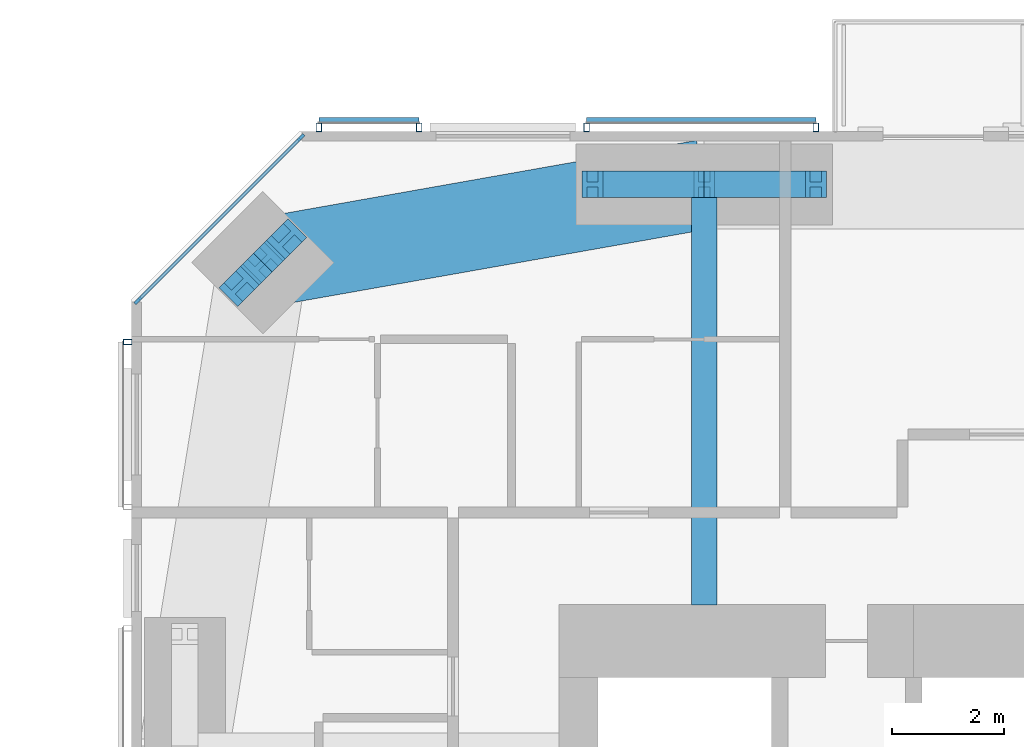
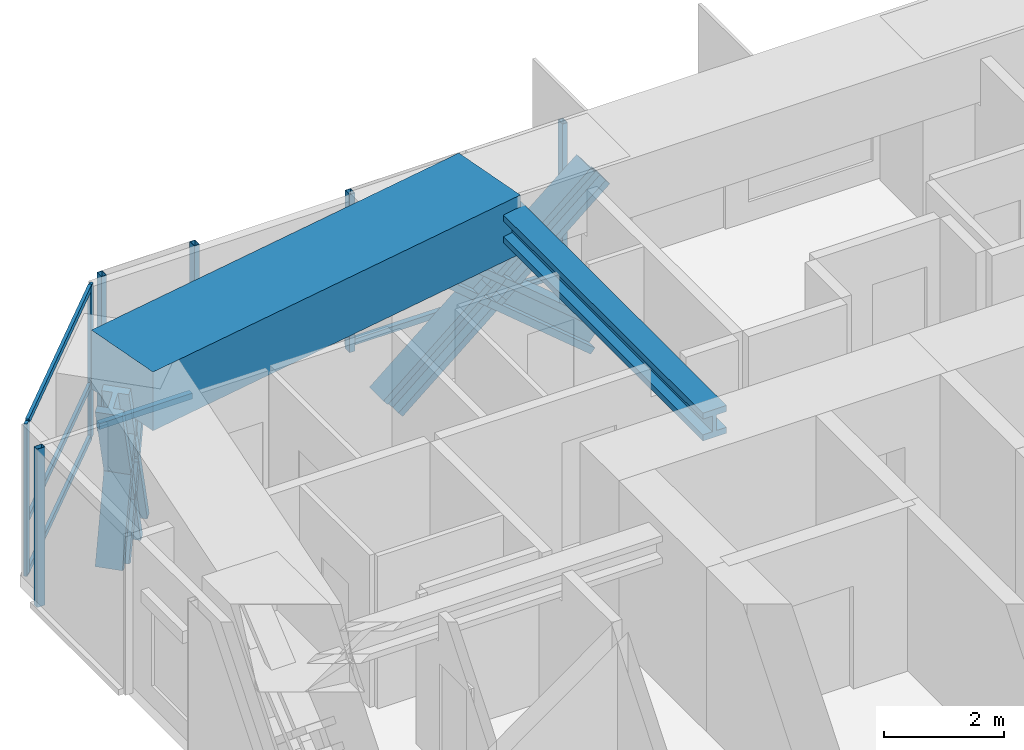
# One storey, part 10 of 23: 20 members, 2 beams, 4 elements without a shape of their own.
"""IFC4 building model written with IfcOpenShell, lengths in metres."""

from ifc_helpers import new_model, si_unit, direction, frame, origin, origin_2d, place, context, subcontext, project, spatial, rectangle, hollow_rectangle, i_section, extrude, material, material_profile, profile_set, type_object, element, aggregate, save


model = new_model("IFC4")

# Units and contexts
model_context = context("Model", 3, precision=1e-05, world=origin(), true_north=direction((0.0, 1.0)))
body_context = subcontext(model_context, "Body", "Model", "MODEL_VIEW")
ifc_project = project(units=[si_unit("LENGTHUNIT", "METRE"), si_unit("AREAUNIT", "SQUARE_METRE"), si_unit("VOLUMEUNIT", "CUBIC_METRE"), si_unit("PLANEANGLEUNIT", "RADIAN"), si_unit("MASSUNIT", "GRAM", prefix="KILO")], contexts=[model_context])

# Site, building, storey
site_placement = place(None, origin())
site = spatial("IfcSite", under=ifc_project, at=site_placement, CompositionType="ELEMENT")
building_placement = place(site_placement, origin())
building = spatial("IfcBuilding", under=site, at=building_placement, Name="Jalousie Tower", CompositionType="ELEMENT")
storey_placement = place(building_placement, frame((0.0, 0.0, 164.39990234375)))
storey = spatial("IfcBuildingStorey", under=building, at=storey_placement, Name="L44", CompositionType="ELEMENT", Elevation=164.39990234375)

# Curtain wall, members
ifc_material_1 = material(Name="Aluminium curtain wall", Category="aluminium")
curtain_wall_type_1 = type_object("IfcCurtainWallType", Name="CORNER WINDOW WALL", PredefinedType="USERDEFINED", material=ifc_material_1)
curtain_wall_1_placement = place(storey_placement, origin())
curtain_wall_1 = element("IfcCurtainWall", 1, at=curtain_wall_1_placement, inside=storey, type_object=curtain_wall_type_1, Name="Corner Window Wall L44 6", ObjectType="CORNER WINDOW WALL", PredefinedType="USERDEFINED")
ifc_material_2 = material(Name="Aluminium mullion", Category="aluminium")
ifc_material_profile_1 = material_profile(ifc_material_2, rectangle(XDim=0.06005859375, YDim=0.14990234375, at=origin_2d()), Name="MULLION 60x150")
ifc_profile_set_1 = profile_set([ifc_material_profile_1], Name="Aluminium mullion")
member_type_1 = type_object("IfcMemberType", Name="CORNER WINDOW WALL MULLION", PredefinedType="MULLION", material=ifc_profile_set_1)
member_1_placement = place(storey_placement, frame((15.030029296875, 35.891357421875, 0.0), z_axis=(0.0, 0.0, 1.0), x_axis=(0.707106781187, -0.707106781187, 0.0)))
member_1 = element("IfcMember", 2, at=member_1_placement, type_object=member_type_1, Name="CW-C mullion 1", PredefinedType="MULLION", context=body_context, shape_type="SweptSolid", body=[
    extrude(rectangle(XDim=0.06005859375, YDim=0.14990234375, at=origin_2d()), origin(), (0.0, 0.0, 1.0), 3.110107421875),
])
member_2_placement = place(storey_placement, frame((12.108642578125, 32.969970703125, 0.0), z_axis=(0.0, 0.0, 1.0), x_axis=(0.707106781187, -0.707106781187, 0.0)))
member_2 = element("IfcMember", 3, at=member_2_placement, type_object=member_type_1, Name="CW-C mullion 2", PredefinedType="MULLION", context=body_context, shape_type="SweptSolid", body=[
    extrude(rectangle(XDim=0.06005859375, YDim=0.14990234375, at=origin_2d()), origin(), (0.0, 0.0, 1.0), 3.110107421875),
])
ifc_material_3 = material(Name="Aluminium transom", Category="aluminium")
ifc_material_profile_2 = material_profile(ifc_material_3, rectangle(XDim=0.06005859375, YDim=0.1201171875, at=origin_2d()), Name="TRANSOM 60x120")
ifc_profile_set_2 = profile_set([ifc_material_profile_2], Name="Aluminium transom")
member_type_2 = type_object("IfcMemberType", Name="CORNER WINDOW WALL TRANSOM", PredefinedType="USERDEFINED", material=ifc_profile_set_2)
member_3_placement = place(storey_placement, frame((15.0087890625, 35.8701171875, 0.030029296875), z_axis=(-0.707106781187, -0.707106781187, 0.0), x_axis=(0.707106781187, -0.707106781187, 0.0)))
member_3 = element("IfcMember", 4, at=member_3_placement, type_object=member_type_2, Name="CW-C transom 1.1", ObjectType="TRANSOM", PredefinedType="USERDEFINED", context=body_context, shape_type="SweptSolid", body=[
    extrude(rectangle(XDim=0.06005859375, YDim=0.1201171875, at=origin_2d()), origin(), (0.0, 0.0, 1.0), 4.0712890625),
])
member_4_placement = place(storey_placement, frame((15.0087890625, 35.8701171875, 1.10009765625), z_axis=(-0.707106781187, -0.707106781187, 0.0), x_axis=(0.707106781187, -0.707106781187, 0.0)))
member_4 = element("IfcMember", 5, at=member_4_placement, type_object=member_type_2, Name="CW-C transom 1.2", ObjectType="TRANSOM", PredefinedType="USERDEFINED", context=body_context, shape_type="SweptSolid", body=[
    extrude(rectangle(XDim=0.06005859375, YDim=0.1201171875, at=origin_2d()), origin(), (0.0, 0.0, 1.0), 4.0712890625),
])
member_5_placement = place(storey_placement, frame((15.0087890625, 35.8701171875, 3.080078125), z_axis=(-0.707106781187, -0.707106781187, 0.0), x_axis=(0.707106781187, -0.707106781187, 0.0)))
member_5 = element("IfcMember", 6, at=member_5_placement, type_object=member_type_2, Name="CW-C transom 1.3", ObjectType="TRANSOM", PredefinedType="USERDEFINED", context=body_context, shape_type="SweptSolid", body=[
    extrude(rectangle(XDim=0.06005859375, YDim=0.1201171875, at=origin_2d()), origin(), (0.0, 0.0, 1.0), 4.0712890625),
])
aggregate(curtain_wall_1, [member_1, member_2, member_3, member_4, member_5])

# Beam
ifc_material_4 = material(Name="Steel ASTM A992 Grade 50", Category="steel")
ifc_material_profile_3 = material_profile(ifc_material_4, i_section(OverallWidth=0.45458984375, OverallDepth=0.569091796875, WebThickness=0.077880859375, FlangeThickness=0.124755859375, at=origin_2d()), Name="W14X730")
ifc_profile_set_3 = profile_set([ifc_material_profile_3], Name="Steel ASTM A992 Grade 50")
beam_type_1 = type_object("IfcBeamType", Name="LEAN COLLECTOR W14X730", PredefinedType="BEAM", material=ifc_profile_set_3)
beam_1_placement = place(storey_placement, frame((22.25, 35.050048828125, 2.82568359375), z_axis=(0.0, -1.0, 0.0), x_axis=(1.0, 0.0, 0.0)))
element("IfcBeam", 7, at=beam_1_placement, inside=storey, type_object=beam_type_1, Name="Lean collector under L45", PredefinedType="BEAM", context=body_context, shape_type="SweptSolid", body=[
    extrude(i_section(OverallWidth=0.45458984375, OverallDepth=0.569091796875, WebThickness=0.077880859375, FlangeThickness=0.124755859375, at=origin_2d()), origin(), (0.0, 0.0, 1.0), 7.525146484375),
])

# Members
ifc_material_5 = material(Name="Steel ASTM A992 Grade 50", Category="steel")
ifc_material_profile_4 = material_profile(ifc_material_5, i_section(OverallWidth=0.472412109375, OverallDepth=0.5791015625, WebThickness=0.094970703125, FlangeThickness=0.1298828125, at=origin_2d()), Name="W14X808")
ifc_profile_set_4 = profile_set([ifc_material_profile_4], Name="Steel ASTM A992 Grade 50")
member_type_3 = type_object("IfcMemberType", Name="PERIMETER BRACE W14X808", PredefinedType="BRACE", material=ifc_profile_set_4)
member_6_placement = place(storey_placement, frame((20.25, 35.050048828125, -0.599853515625), z_axis=(0.766638753323, 0.0, 0.642078672674), x_axis=(0.0, 1.0, 0.0)))
element("IfcMember", 8, at=member_6_placement, inside=storey, type_object=member_type_3, Name="Perimeter brace 11 L44 part 1", PredefinedType="BRACE", context=body_context, shape_type="SweptSolid", body=[
    extrude(i_section(OverallWidth=0.472412109375, OverallDepth=0.5791015625, WebThickness=0.094970703125, FlangeThickness=0.1298828125, at=origin_2d()), origin(), (0.0, 0.0, 1.0), 2.60888671875),
])
member_7_placement = place(storey_placement, frame((22.25, 35.050048828125, 1.0751953125), z_axis=(0.766684820047, 0.0, 0.642023665225), x_axis=(0.0, 1.0, 0.0)))
element("IfcMember", 9, at=member_7_placement, inside=storey, type_object=member_type_3, Name="Perimeter brace 11 L44 part 2", PredefinedType="BRACE", context=body_context, shape_type="SweptSolid", body=[
    extrude(i_section(OverallWidth=0.472412109375, OverallDepth=0.5791015625, WebThickness=0.094970703125, FlangeThickness=0.1298828125, at=origin_2d()), origin(), (0.0, 0.0, 1.0), 2.608642578125),
])
member_8_placement = place(storey_placement, frame((24.25, 35.050048828125, -0.599853515625), z_axis=(-0.766638753323, 0.0, 0.642078672674), x_axis=(0.0, -1.0, 0.0)))
element("IfcMember", 10, at=member_8_placement, inside=storey, type_object=member_type_3, Name="Perimeter brace 11 L44 part 3", PredefinedType="BRACE", context=body_context, shape_type="SweptSolid", body=[
    extrude(i_section(OverallWidth=0.472412109375, OverallDepth=0.5791015625, WebThickness=0.094970703125, FlangeThickness=0.1298828125, at=origin_2d()), origin(), (0.0, 0.0, 1.0), 2.60888671875),
])
member_9_placement = place(storey_placement, frame((22.25, 35.050048828125, 1.0751953125), z_axis=(-0.766684820047, 0.0, 0.642023665225), x_axis=(0.0, -1.0, 0.0)))
element("IfcMember", 11, at=member_9_placement, inside=storey, type_object=member_type_3, Name="Perimeter brace 11 L44 part 4", PredefinedType="BRACE", context=body_context, shape_type="SweptSolid", body=[
    extrude(i_section(OverallWidth=0.472412109375, OverallDepth=0.5791015625, WebThickness=0.094970703125, FlangeThickness=0.1298828125, at=origin_2d()), origin(), (0.0, 0.0, 1.0), 2.608642578125),
])
member_10_placement = place(storey_placement, frame((14.772705078125, 34.07568359375, -0.599853515625), z_axis=(-0.238482757655, -0.238345540878, 0.941444303953), x_axis=(0.706903267951, -0.707310235866, 0.0)))
element("IfcMember", 12, at=member_10_placement, inside=storey, type_object=member_type_3, Name="Perimeter brace 12 L44 part 1", PredefinedType="BRACE", context=body_context, shape_type="SweptSolid", body=[
    extrude(i_section(OverallWidth=0.472412109375, OverallDepth=0.5791015625, WebThickness=0.094970703125, FlangeThickness=0.1298828125, at=origin_2d()), origin(), (0.0, 0.0, 1.0), 1.779296875),
])
member_11_placement = place(storey_placement, frame((14.348388671875, 33.651611328125, 1.0751953125), z_axis=(-0.238376334543, -0.238513569048, 0.941428701766), x_axis=(0.707310235866, -0.706903267951, 0.0)))
element("IfcMember", 13, at=member_11_placement, inside=storey, type_object=member_type_3, Name="Perimeter brace 12 L44 part 2", PredefinedType="BRACE", context=body_context, shape_type="SweptSolid", body=[
    extrude(i_section(OverallWidth=0.472412109375, OverallDepth=0.5791015625, WebThickness=0.094970703125, FlangeThickness=0.1298828125, at=origin_2d()), origin(), (0.0, 0.0, 1.0), 1.779052734375),
])
member_12_placement = place(storey_placement, frame((13.92431640625, 33.227294921875, -0.599853515625), z_axis=(0.238345540878, 0.238482757655, 0.941444303953), x_axis=(-0.707310235866, 0.706903267951, 0.0)))
element("IfcMember", 14, at=member_12_placement, inside=storey, type_object=member_type_3, Name="Perimeter brace 12 L44 part 3", PredefinedType="BRACE", context=body_context, shape_type="SweptSolid", body=[
    extrude(i_section(OverallWidth=0.472412109375, OverallDepth=0.5791015625, WebThickness=0.094970703125, FlangeThickness=0.1298828125, at=origin_2d()), origin(), (0.0, 0.0, 1.0), 1.779296875),
])
member_13_placement = place(storey_placement, frame((14.348388671875, 33.651611328125, 1.0751953125), z_axis=(0.238513569048, 0.238376334543, 0.941428701766), x_axis=(-0.706903267951, 0.707310235866, 0.0)))
element("IfcMember", 15, at=member_13_placement, inside=storey, type_object=member_type_3, Name="Perimeter brace 12 L44 part 4", PredefinedType="BRACE", context=body_context, shape_type="SweptSolid", body=[
    extrude(i_section(OverallWidth=0.472412109375, OverallDepth=0.5791015625, WebThickness=0.094970703125, FlangeThickness=0.1298828125, at=origin_2d()), origin(), (0.0, 0.0, 1.0), 1.779052734375),
])

# Beam
ifc_material_6 = material(Name="Concrete f'c 40 MPa", Category="concrete")
ifc_material_profile_5 = material_profile(ifc_material_6, rectangle(XDim=1.60009765625, YDim=1.199951171875, at=origin_2d()), Name="RC 1600x1200")
ifc_profile_set_5 = profile_set([ifc_material_profile_5], Name="Concrete f'c 40 MPa")
beam_type_2 = type_object("IfcBeamType", Name="RC BEAM 1600x1200", PredefinedType="BEAM", material=ifc_profile_set_5)
beam_2_placement = place(storey_placement, frame((22.25, 35.050048828125, 2.75), z_axis=(-0.984697370688, -0.174273027632, 0.0), x_axis=(0.174273027632, -0.984697370688, 0.0)))
element("IfcBeam", 16, at=beam_2_placement, inside=storey, type_object=beam_type_2, Name="Edge band beam 11-12 under L45", PredefinedType="BEAM", context=body_context, shape_type="SweptSolid", body=[
    extrude(rectangle(XDim=1.60009765625, YDim=1.199951171875, at=origin_2d()), origin(), (0.0, 0.0, 1.0), 8.0244140625),
])

# Curtain wall, members
ifc_material_7 = material(Name="Perforated aluminium sheet", Category="aluminium")
curtain_wall_type_2 = type_object("IfcCurtainWallType", Name="SOLAR SCREEN SS-1", PredefinedType="USERDEFINED", material=ifc_material_7)
curtain_wall_2_placement = place(storey_placement, origin())
curtain_wall_2 = element("IfcCurtainWall", 17, at=curtain_wall_2_placement, inside=storey, type_object=curtain_wall_type_2, Name="Solar screen L44", ObjectType="SOLAR SCREEN SS-1", PredefinedType="USERDEFINED")
ifc_material_8 = material(Name="Steel ASTM A500 Grade C", Category="steel")
ifc_material_profile_6 = material_profile(ifc_material_8, hollow_rectangle(XDim=0.1015625, YDim=0.15234375, WallThickness=0.00634765625, at=origin_2d()), Name="HSS6X4X1/4")
ifc_profile_set_6 = profile_set([ifc_material_profile_6], Name="Steel ASTM A500 Grade C")
member_type_4 = type_object("IfcMemberType", Name="SOLAR SCREEN SS-1 MULLION", PredefinedType="MULLION", material=ifc_profile_set_6)
member_14_placement = place(storey_placement, frame((24.25, 36.0712890625, -0.119873046875), z_axis=(0.0, 0.0, 1.0), x_axis=(-1.0, 0.0, 0.0)))
member_14 = element("IfcMember", 18, at=member_14_placement, type_object=member_type_4, Name="SS1 post 1", PredefinedType="MULLION", context=body_context, shape_type="SweptSolid", body=[
    extrude(hollow_rectangle(XDim=0.1015625, YDim=0.15234375, WallThickness=0.00634765625, at=origin_2d()), origin(), (0.0, 0.0, 1.0), 3.22998046875),
])
member_15_placement = place(storey_placement, frame((20.14453125, 36.0712890625, -0.119873046875), z_axis=(0.0, 0.0, 1.0), x_axis=(-1.0, 0.0, 0.0)))
member_15 = element("IfcMember", 19, at=member_15_placement, type_object=member_type_4, Name="SS1 post 2", PredefinedType="MULLION", context=body_context, shape_type="SweptSolid", body=[
    extrude(hollow_rectangle(XDim=0.1015625, YDim=0.15234375, WallThickness=0.00634765625, at=origin_2d()), origin(), (0.0, 0.0, 1.0), 3.22998046875),
])

curtain_wall_3_placement = place(storey_placement, origin())
curtain_wall_3 = element("IfcCurtainWall", 20, at=curtain_wall_3_placement, inside=storey, type_object=curtain_wall_type_2, Name="Solar screen L44", ObjectType="SOLAR SCREEN SS-1", PredefinedType="USERDEFINED")
member_16_placement = place(storey_placement, frame((17.14453125, 36.0712890625, -0.119873046875), z_axis=(0.0, 0.0, 1.0), x_axis=(-1.0, 0.0, 0.0)))
member_16 = element("IfcMember", 21, at=member_16_placement, type_object=member_type_4, Name="SS1 post 1", PredefinedType="MULLION", context=body_context, shape_type="SweptSolid", body=[
    extrude(hollow_rectangle(XDim=0.1015625, YDim=0.15234375, WallThickness=0.00634765625, at=origin_2d()), origin(), (0.0, 0.0, 1.0), 3.22998046875),
])
member_17_placement = place(storey_placement, frame((15.351318359375, 36.0712890625, -0.119873046875), z_axis=(0.0, 0.0, 1.0), x_axis=(-1.0, 0.0, 0.0)))
member_17 = element("IfcMember", 22, at=member_17_placement, type_object=member_type_4, Name="SS1 post 2", PredefinedType="MULLION", context=body_context, shape_type="SweptSolid", body=[
    extrude(hollow_rectangle(XDim=0.1015625, YDim=0.15234375, WallThickness=0.00634765625, at=origin_2d()), origin(), (0.0, 0.0, 1.0), 3.22998046875),
])

# Curtain wall, member
curtain_wall_4_placement = place(storey_placement, origin())
curtain_wall_4 = element("IfcCurtainWall", 23, at=curtain_wall_4_placement, inside=storey, type_object=curtain_wall_type_2, Name="Solar screen L44", ObjectType="SOLAR SCREEN SS-1", PredefinedType="USERDEFINED")
member_18_placement = place(storey_placement, frame((11.9287109375, 32.228759765625, -0.119873046875), z_axis=(0.0, 0.0, 1.0), x_axis=(0.0, -1.0, 0.0)))
member_18 = element("IfcMember", 24, at=member_18_placement, type_object=member_type_4, Name="SS1 post 1", PredefinedType="MULLION", context=body_context, shape_type="SweptSolid", body=[
    extrude(hollow_rectangle(XDim=0.1015625, YDim=0.15234375, WallThickness=0.00634765625, at=origin_2d()), origin(), (0.0, 0.0, 1.0), 3.22998046875),
])
aggregate(curtain_wall_4, [member_18])

# Member
ifc_material_9 = material(Name="Extruded aluminium screen rail", Category="aluminium")
ifc_material_profile_7 = material_profile(ifc_material_9, rectangle(XDim=0.1015625, YDim=0.1201171875, at=origin_2d()), Name="RAIL 102x120")
ifc_profile_set_7 = profile_set([ifc_material_profile_7], Name="Extruded aluminium screen rail")
member_type_5 = type_object("IfcMemberType", Name="SOLAR SCREEN SS-1 TRANSOM", PredefinedType="USERDEFINED", material=ifc_profile_set_7)
member_19_placement = place(storey_placement, frame((24.25, 36.1982421875, -0.059814453125), z_axis=(-1.0, 0.0, 0.0), x_axis=(0.0, -1.0, 0.0)))
member_19 = element("IfcMember", 25, at=member_19_placement, type_object=member_type_5, Name="SS1 rail", ObjectType="TRANSOM", PredefinedType="USERDEFINED", context=body_context, shape_type="SweptSolid", body=[
    extrude(rectangle(XDim=0.1015625, YDim=0.1201171875, at=origin_2d()), origin(), (0.0, 0.0, 1.0), 4.10546875),
])

aggregate(curtain_wall_2, [member_14, member_15, member_19])

member_20_placement = place(storey_placement, frame((17.14453125, 36.1982421875, -0.059814453125), z_axis=(-1.0, 0.0, 0.0), x_axis=(0.0, -1.0, 0.0)))
member_20 = element("IfcMember", 26, at=member_20_placement, type_object=member_type_5, Name="SS1 rail", ObjectType="TRANSOM", PredefinedType="USERDEFINED", context=body_context, shape_type="SweptSolid", body=[
    extrude(rectangle(XDim=0.1015625, YDim=0.1201171875, at=origin_2d()), origin(), (0.0, 0.0, 1.0), 1.793212890625),
])

aggregate(curtain_wall_3, [member_16, member_17, member_20])

save(model, "model.ifc")
